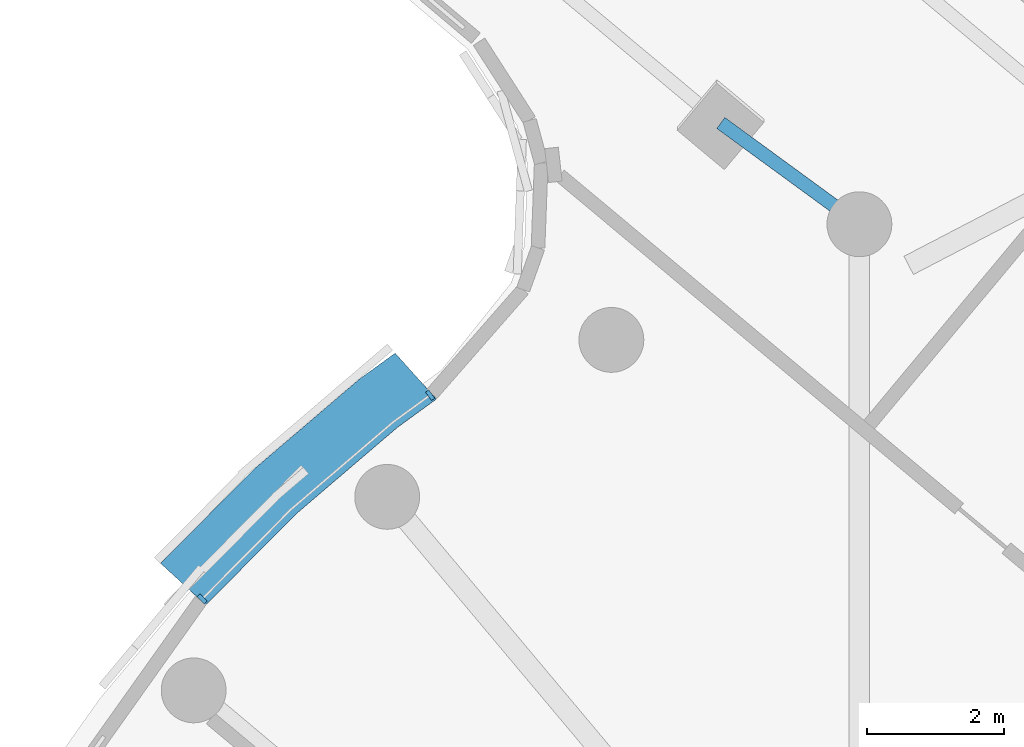
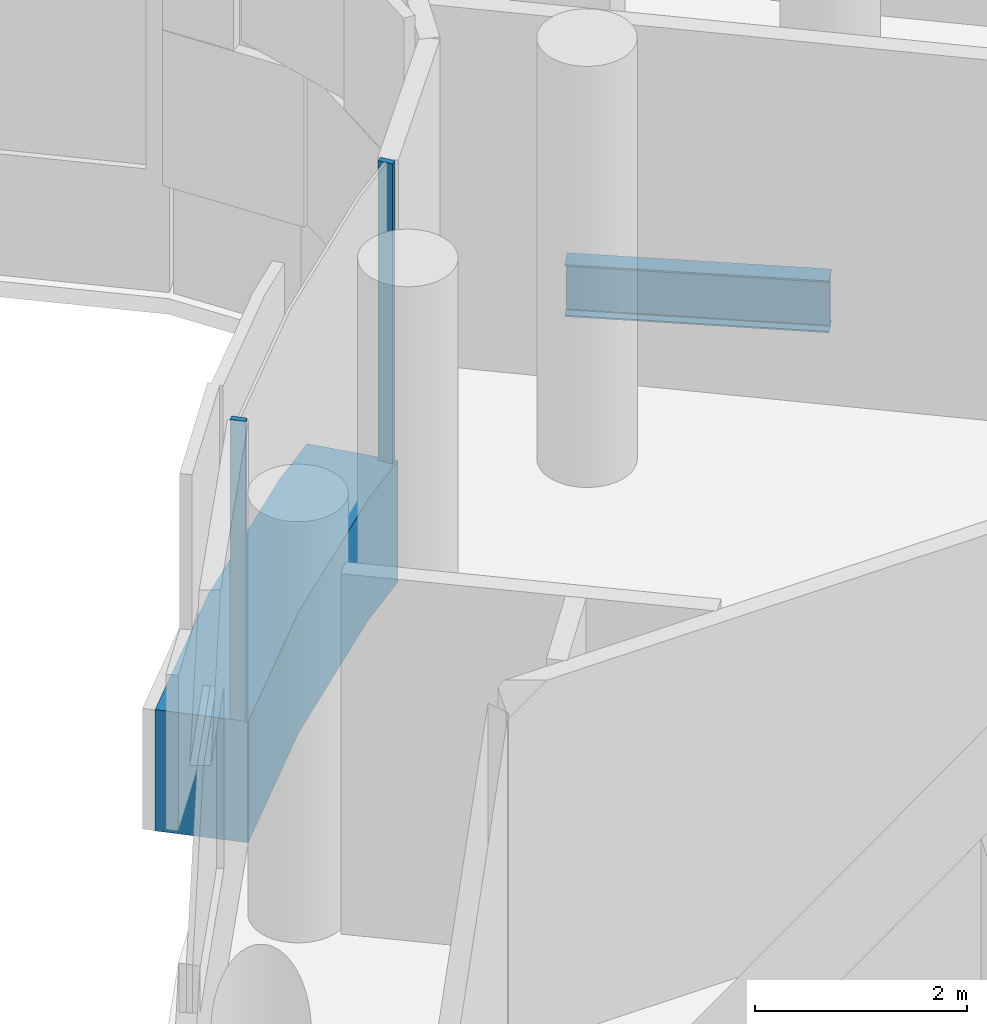
# One storey, part 3 of 19: 3 members, 1 beam, 1 element without a shape of its own.
"""IFC4 building model written with IfcOpenShell, lengths in metres."""

from ifc_helpers import new_model, si_unit, direction, frame, origin, origin_2d, place, context, subcontext, project, spatial, polyline, rectangle, i_section, outline, extrude, material, layer, layer_set, material_profile, profile_set, type_object, element, aggregate, save


model = new_model("IFC4")

# Units and contexts
model_context = context("Model", 3, precision=1e-05, world=origin(), true_north=direction((0.0, 1.0)))
body_context = subcontext(model_context, "Body", "Model", "MODEL_VIEW")
ifc_project = project(units=[si_unit("LENGTHUNIT", "METRE"), si_unit("AREAUNIT", "SQUARE_METRE"), si_unit("VOLUMEUNIT", "CUBIC_METRE"), si_unit("PLANEANGLEUNIT", "RADIAN"), si_unit("MASSUNIT", "GRAM", prefix="KILO")], contexts=[model_context])

# Site, building, storey
site_placement = place(None, origin())
site = spatial("IfcSite", under=ifc_project, at=site_placement, CompositionType="ELEMENT")
building_placement = place(site_placement, origin())
building = spatial("IfcBuilding", under=site, at=building_placement, Name="Tamarind Cross Interchange Tower", CompositionType="ELEMENT")
storey_placement = place(building_placement, frame((0.0, 0.0, 214.89990234375)))
storey = spatial("IfcBuildingStorey", under=building, at=storey_placement, Name="L54", CompositionType="ELEMENT", Elevation=214.89990234375)

# Beam
ifc_material_1 = material(Name="Steel Q355B", Category="steel")
ifc_material_profile_1 = material_profile(ifc_material_1, i_section(OverallWidth=0.199951171875, OverallDepth=0.60009765625, WebThickness=0.010986328125, FlangeThickness=0.01708984375, FilletRadius=0.012939453125, at=origin_2d()), Name="HN 600x200x11x17")
ifc_profile_set_1 = profile_set([ifc_material_profile_1], Name="Steel Q355B")
beam_type = type_object("IfcBeamType", Name="Composite beam HN 600x200x11x17 Q355B", PredefinedType="BEAM", material=ifc_profile_set_1)
beam_placement = place(storey_placement, frame((-9.896484375, 23.095947265625, -0.47998046875), z_axis=(0.807499647334, -0.589868052665, 0.0), x_axis=(0.589868052665, 0.807499647334, 0.0)))
element("IfcBeam", 1, at=beam_placement, inside=storey, type_object=beam_type, Name="Beam N-linkep", PredefinedType="BEAM", context=body_context, shape_type="SweptSolid", body=[
    extrude(i_section(OverallWidth=0.199951171875, OverallDepth=0.60009765625, WebThickness=0.010986328125, FlangeThickness=0.01708984375, FilletRadius=0.012939453125, at=origin_2d()), origin(), (0.0, 0.0, 1.0), 2.513916015625),
])

# Curtain wall, members
ifc_material_2 = material(Name="Aluminium 6063-T6", Category="aluminium")
ifc_layer = layer(ifc_material_2, 0.14990234375)
ifc_layer_set = layer_set([ifc_layer], Name="Aluminium 6063-T6")
curtain_wall_type = type_object("IfcCurtainWallType", Name="Winter garden and crown curtain wall", PredefinedType="NOTDEFINED", material=ifc_layer_set)
curtain_wall_placement = place(storey_placement, origin())
curtain_wall = element("IfcCurtainWall", 2, at=curtain_wall_placement, inside=storey, type_object=curtain_wall_type, Name="CWS-L54-10", PredefinedType="NOTDEFINED")
ifc_material_3 = material(Name="Aluminium and insulated spandrel panel", Category="aluminium")
member_type_1 = type_object("IfcMemberType", Name="Floor-edge blade transom", PredefinedType="USERDEFINED", material=ifc_material_3)
member_1_placement = place(storey_placement, origin())
member_1 = element("IfcMember", 3, at=member_1_placement, type_object=member_type_1, Name="CWT-L54-10-0", ObjectType="TRANSOM", PredefinedType="USERDEFINED", context=body_context, shape_type="SweptSolid", body=[
    extrude(outline(polyline([(-14.063232421875, 19.0517578125), (-14.634033203125, 18.63671875), (-16.12353515625, 17.3642578125), (-17.44091796875, 16.035400390625), (-18.10400390625, 16.64501953125), (-16.736572265625, 18.0244140625), (-15.19189453125, 19.343994140625), (-14.66748046875, 19.72509765625), (-14.063232421875, 19.0517578125)])), origin(), (0.0, 0.0, 1.0), 1.400146484375),
])
ifc_material_profile_2 = material_profile(ifc_material_2, rectangle(XDim=0.06005859375, YDim=0.14990234375, at=origin_2d()), Name="Mullion CW6")
ifc_profile_set_2 = profile_set([ifc_material_profile_2], Name="Aluminium 6063-T6")
member_type_2 = type_object("IfcMemberType", Name="Mullion CW6", PredefinedType="MULLION", material=ifc_profile_set_2)
member_2_placement = place(storey_placement, frame((-14.155029296875, 19.1083984375, 1.400146484375), z_axis=(0.0, 0.0, 1.0), x_axis=(-0.808974061108, -0.587844340327, 0.0)))
member_2 = element("IfcMember", 4, at=member_2_placement, type_object=member_type_2, Name="CWM-L54-10-01", PredefinedType="MULLION", context=body_context, shape_type="SweptSolid", body=[
    extrude(rectangle(XDim=0.06005859375, YDim=0.14990234375, at=origin_2d()), origin(), (0.0, 0.0, 1.0), 3.4599609375),
])
member_3_placement = place(storey_placement, frame((-17.49365234375, 16.124267578125, 1.400146484375), z_axis=(0.0, 0.0, 1.0), x_axis=(-0.704057148523, -0.710143317658, 0.0)))
member_3 = element("IfcMember", 5, at=member_3_placement, type_object=member_type_2, Name="CWM-L54-10-02", PredefinedType="MULLION", context=body_context, shape_type="SweptSolid", body=[
    extrude(rectangle(XDim=0.06005859375, YDim=0.14990234375, at=origin_2d()), origin(), (0.0, 0.0, 1.0), 3.4599609375),
])
aggregate(curtain_wall, [member_2, member_3, member_1])

save(model, "model.ifc")
